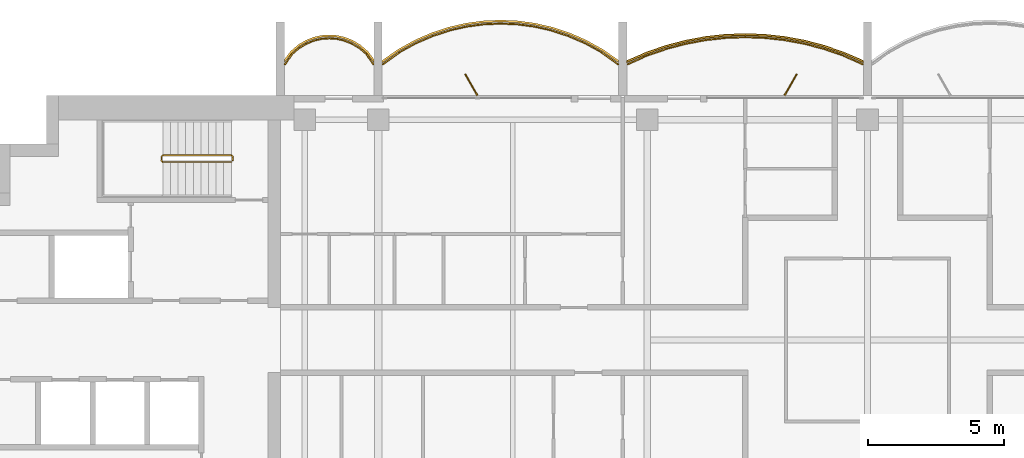
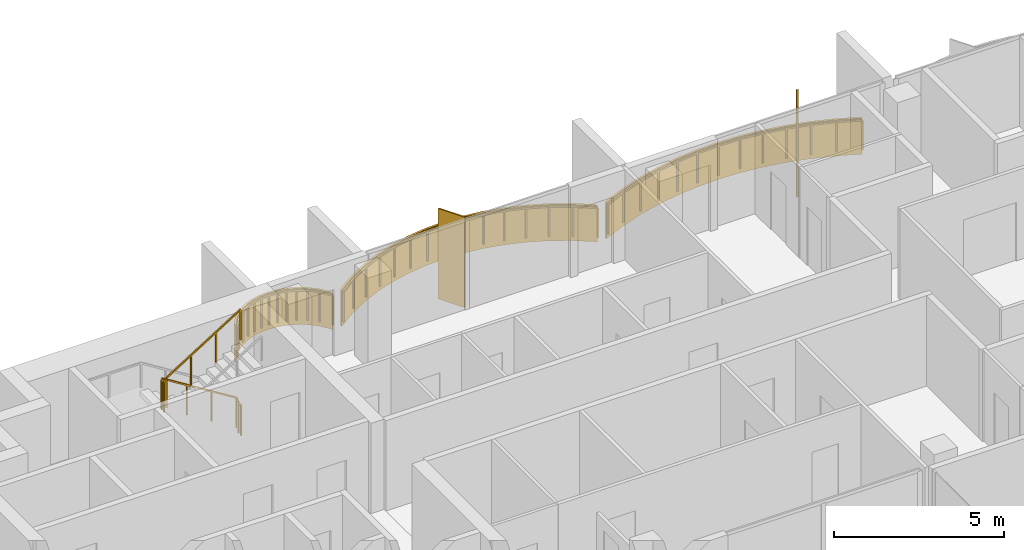
# One storey, part 14 of 16: 4 railings, 3 coverings, 2 shading devices.
"""IFC4 building model written with IfcOpenShell, lengths in metres."""

from ifc_helpers import new_model, si_unit, direction, frame, origin, origin_2d, place, context, subcontext, project, spatial, polyline, rectangle, outline, extrude, material, layer, layer_set, type_object, element, save


model = new_model("IFC4")

# Units and contexts
model_context = context("Model", 3, precision=1e-05, world=origin(), true_north=direction((0.0, 1.0)))
body_context = subcontext(model_context, "Body", "Model", "MODEL_VIEW")
ifc_project = project(units=[si_unit("LENGTHUNIT", "METRE"), si_unit("AREAUNIT", "SQUARE_METRE"), si_unit("VOLUMEUNIT", "CUBIC_METRE"), si_unit("PLANEANGLEUNIT", "RADIAN"), si_unit("MASSUNIT", "GRAM", prefix="KILO")], contexts=[model_context])

# Site, building, storey
site_placement = place(None, origin())
site = spatial("IfcSite", under=ifc_project, at=site_placement, CompositionType="ELEMENT")
building_placement = place(site_placement, origin())
building = spatial("IfcBuilding", under=site, at=building_placement, Name="Perihelion Cross Residences", CompositionType="ELEMENT")
storey_placement = place(building_placement, frame((0.0, 0.0, 246.5)))
storey = spatial("IfcBuildingStorey", under=building, at=storey_placement, Name="L62", CompositionType="ELEMENT", Elevation=246.5)

# Coverings
ifc_material_1 = material(Name="Bronze anodised aluminium", Category="aluminium")
ifc_layer_1 = layer(ifc_material_1, 0.070068359375)
ifc_layer_set_1 = layer_set([ifc_layer_1], Name="Balcony fascia 1300")
covering_type = type_object("IfcCoveringType", Name="Balcony fascia 1300", PredefinedType="CLADDING", material=ifc_layer_set_1)
covering_1_placement = place(storey_placement, frame((0.0, 0.0, -0.199951171875)))
element("IfcCovering", 1, at=covering_1_placement, inside=storey, type_object=covering_type, Name="Fascia BF1 L62 north side east bay 2", PredefinedType="CLADDING", context=body_context, shape_type="SweptSolid", body=[
    extrude(outline(polyline([(-0.849365234375, 10.582275390625), (-1.57958984375, 10.83544921875), (-2.309814453125, 11.028076171875), (-3.039794921875, 11.1630859375), (-3.77001953125, 11.243408203125), (-4.5, 11.27001953125), (-5.22998046875, 11.243408203125), (-5.960205078125, 11.1630859375), (-6.690185546875, 11.028076171875), (-7.42041015625, 10.83544921875), (-8.150634765625, 10.582275390625), (-8.85009765625, 10.2763671875), (-8.85009765625, 10.199951171875), (-8.125, 10.51708984375), (-7.39990234375, 10.7685546875), (-6.675048828125, 10.959716796875), (-5.949951171875, 11.093994140625), (-5.22509765625, 11.173583984375), (-4.5, 11.199951171875), (-3.77490234375, 11.173583984375), (-3.050048828125, 11.093994140625), (-2.324951171875, 10.959716796875), (-1.60009765625, 10.7685546875), (-0.875, 10.51708984375), (-0.14990234375, 10.199951171875), (-0.14990234375, 10.2763671875), (-0.849365234375, 10.582275390625)])), origin(), (0.0, 0.0, 1.0), 1.300048828125),
])
covering_2_placement = place(storey_placement, frame((0.0, 0.0, -0.199951171875)))
element("IfcCovering", 2, at=covering_2_placement, inside=storey, type_object=covering_type, Name="Fascia BF1 L62 west side north bay 1", PredefinedType="CLADDING", context=body_context, shape_type="SweptSolid", body=[
    extrude(outline(polyline([(-9.734375, 10.694091796875), (-10.362060546875, 11.0419921875), (-10.989501953125, 11.313232421875), (-11.6171875, 11.516845703125), (-12.244873046875, 11.65869140625), (-12.872314453125, 11.742431640625), (-13.5, 11.77001953125), (-14.127685546875, 11.742431640625), (-14.755126953125, 11.65869140625), (-15.3828125, 11.516845703125), (-16.010498046875, 11.313232421875), (-16.637939453125, 11.0419921875), (-17.265625, 10.694091796875), (-17.85009765625, 10.285400390625), (-17.85009765625, 10.199951171875), (-17.228515625, 10.634765625), (-16.607177734375, 10.979248046875), (-15.985595703125, 11.247802734375), (-15.3642578125, 11.44921875), (-14.742919921875, 11.589599609375), (-14.121337890625, 11.672607421875), (-13.5, 11.699951171875), (-12.878662109375, 11.672607421875), (-12.257080078125, 11.589599609375), (-11.6357421875, 11.44921875), (-11.014404296875, 11.247802734375), (-10.392822265625, 10.979248046875), (-9.771484375, 10.634765625), (-9.14990234375, 10.199951171875), (-9.14990234375, 10.285400390625), (-9.734375, 10.694091796875)])), origin(), (0.0, 0.0, 1.0), 1.300048828125),
])
covering_3_placement = place(storey_placement, frame((0.0, 0.0, -0.199951171875)))
element("IfcCovering", 3, at=covering_3_placement, inside=storey, type_object=covering_type, Name="Fascia BF1 L62 west side north bay 2", PredefinedType="CLADDING", context=body_context, shape_type="SweptSolid", body=[
    extrude(outline(polyline([(-18.373779296875, 10.616455078125), (-18.6591796875, 10.86328125), (-18.9443359375, 11.031494140625), (-19.229736328125, 11.142578125), (-19.514892578125, 11.206298828125), (-19.800048828125, 11.22705078125), (-20.085205078125, 11.206298828125), (-20.370361328125, 11.142578125), (-20.655517578125, 11.031494140625), (-20.94091796875, 10.86328125), (-21.226318359375, 10.616455078125), (-21.449951171875, 10.31689453125), (-21.449951171875, 10.199951171875), (-21.175048828125, 10.568603515625), (-20.89990234375, 10.806396484375), (-20.625, 10.96875), (-20.35009765625, 11.07568359375), (-20.074951171875, 11.136962890625), (-19.800048828125, 11.156982421875), (-19.52490234375, 11.136962890625), (-19.25, 11.07568359375), (-18.97509765625, 10.96875), (-18.699951171875, 10.806396484375), (-18.425048828125, 10.568603515625), (-18.14990234375, 10.199951171875), (-18.14990234375, 10.31689453125), (-18.373779296875, 10.616455078125)])), origin(), (0.0, 0.0, 1.0), 1.300048828125),
])

# Railings
ifc_material_2 = material(Name="Bronze anodised aluminium", Category="aluminium")
railing_type_1 = type_object("IfcRailingType", Name="Balcony guard 1100", PredefinedType="GUARDRAIL", material=ifc_material_2)
railing_1_placement = place(storey_placement, frame((-0.175048828125, 10.139892578125, 0.0)))
element("IfcRailing", 4, at=railing_1_placement, inside=storey, type_object=railing_type_1, Name="Guard GU1 L62 north side east bay 2 balcony", PredefinedType="GUARDRAIL", context=body_context, shape_type="SweptSolid", body=[
    extrude(rectangle(XDim=0.048095703125, YDim=0.048095703125, at=origin_2d()), frame((0.0, 0.0, 1.076171875), z_axis=(-0.910866309087, 0.412701547089, 0.0), x_axis=(-0.412701547089, -0.910866309087, 0.0)), (0.0, 0.0, 1.0), 0.7685546875),
    extrude(rectangle(XDim=0.048095703125, YDim=0.048095703125, at=origin_2d()), frame((-0.699951171875, 0.317138671875, 1.076171875), z_axis=(-0.944796812452, 0.327656807012, 0.0), x_axis=(-0.327656807012, -0.944796812452, 0.0)), (0.0, 0.0, 1.0), 0.767578125),
    extrude(rectangle(XDim=0.048095703125, YDim=0.048095703125, at=origin_2d()), frame((-1.425048828125, 0.568603515625, 1.076171875), z_axis=(-0.966939404945, 0.255006249266, 0.0), x_axis=(-0.255006249266, -0.966939404945, 0.0)), (0.0, 0.0, 1.0), 0.749755859375),
    extrude(rectangle(XDim=0.048095703125, YDim=0.048095703125, at=origin_2d()), frame((-2.14990234375, 0.759765625, 1.076171875), z_axis=(-0.983282004984, 0.182089260182, 0.0), x_axis=(-0.182089260182, -0.983282004984, 0.0)), (0.0, 0.0, 1.0), 0.7373046875),
    extrude(rectangle(XDim=0.048095703125, YDim=0.048095703125, at=origin_2d()), frame((-2.875, 0.89404296875, 1.076171875), z_axis=(-0.994025805622, 0.109145305703, 0.0), x_axis=(-0.109145305703, -0.994025805622, 0.0)), (0.0, 0.0, 1.0), 0.729248046875),
    extrude(rectangle(XDim=0.048095703125, YDim=0.048095703125, at=origin_2d()), frame((-3.599853515625, 0.9736328125, 1.076171875), z_axis=(-0.999339497946, 0.036339618107, 0.0), x_axis=(-0.036339618107, -0.999339497946, 0.0)), (0.0, 0.0, 1.0), 0.7255859375),
    extrude(rectangle(XDim=0.048095703125, YDim=0.048095703125, at=origin_2d()), frame((-4.324951171875, 1.0, 1.076171875), z_axis=(-0.999339497946, -0.036339618107, 0.0), x_axis=(0.036339618107, -0.999339497946, 0.0)), (0.0, 0.0, 1.0), 0.7255859375),
    extrude(rectangle(XDim=0.048095703125, YDim=0.048095703125, at=origin_2d()), frame((-5.050048828125, 0.9736328125, 1.076171875), z_axis=(-0.994025805622, -0.109145305703, 0.0), x_axis=(0.109145305703, -0.994025805622, 0.0)), (0.0, 0.0, 1.0), 0.729248046875),
    extrude(rectangle(XDim=0.048095703125, YDim=0.048095703125, at=origin_2d()), frame((-5.77490234375, 0.89404296875, 1.076171875), z_axis=(-0.983282004984, -0.182089260182, 0.0), x_axis=(0.182089260182, -0.983282004984, 0.0)), (0.0, 0.0, 1.0), 0.7373046875),
    extrude(rectangle(XDim=0.048095703125, YDim=0.048095703125, at=origin_2d()), frame((-6.5, 0.759765625, 1.076171875), z_axis=(-0.966939404945, -0.255006249266, 0.0), x_axis=(0.255006249266, -0.966939404945, 0.0)), (0.0, 0.0, 1.0), 0.749755859375),
    extrude(rectangle(XDim=0.048095703125, YDim=0.048095703125, at=origin_2d()), frame((-7.224853515625, 0.568603515625, 1.076171875), z_axis=(-0.944796812452, -0.327656807012, 0.0), x_axis=(0.327656807012, -0.944796812452, 0.0)), (0.0, 0.0, 1.0), 0.767578125),
    extrude(rectangle(XDim=0.048095703125, YDim=0.048095703125, at=origin_2d()), frame((-7.949951171875, 0.317138671875, 1.076171875), z_axis=(-0.910866309087, -0.412701547089, 0.0), x_axis=(0.412701547089, -0.910866309087, 0.0)), (0.0, 0.0, 1.0), 0.7685546875),
    extrude(rectangle(XDim=0.0419921875, YDim=0.0419921875, at=origin_2d()), origin(), (0.0, 0.0, 1.0), 1.052001953125),
    extrude(rectangle(XDim=0.0419921875, YDim=0.0419921875, at=origin_2d()), frame((-0.699951171875, 0.317138671875, 0.0)), (0.0, 0.0, 1.0), 1.052001953125),
    extrude(rectangle(XDim=0.0419921875, YDim=0.0419921875, at=origin_2d()), frame((-1.425048828125, 0.568603515625, 0.0)), (0.0, 0.0, 1.0), 1.052001953125),
    extrude(rectangle(XDim=0.0419921875, YDim=0.0419921875, at=origin_2d()), frame((-2.14990234375, 0.759765625, 0.0)), (0.0, 0.0, 1.0), 1.052001953125),
    extrude(rectangle(XDim=0.0419921875, YDim=0.0419921875, at=origin_2d()), frame((-2.875, 0.89404296875, 0.0)), (0.0, 0.0, 1.0), 1.052001953125),
    extrude(rectangle(XDim=0.0419921875, YDim=0.0419921875, at=origin_2d()), frame((-3.599853515625, 0.9736328125, 0.0)), (0.0, 0.0, 1.0), 1.052001953125),
    extrude(rectangle(XDim=0.0419921875, YDim=0.0419921875, at=origin_2d()), frame((-4.324951171875, 1.0, 0.0)), (0.0, 0.0, 1.0), 1.052001953125),
    extrude(rectangle(XDim=0.0419921875, YDim=0.0419921875, at=origin_2d()), frame((-5.050048828125, 0.9736328125, 0.0)), (0.0, 0.0, 1.0), 1.052001953125),
    extrude(rectangle(XDim=0.0419921875, YDim=0.0419921875, at=origin_2d()), frame((-5.77490234375, 0.89404296875, 0.0)), (0.0, 0.0, 1.0), 1.052001953125),
    extrude(rectangle(XDim=0.0419921875, YDim=0.0419921875, at=origin_2d()), frame((-6.5, 0.759765625, 0.0)), (0.0, 0.0, 1.0), 1.052001953125),
    extrude(rectangle(XDim=0.0419921875, YDim=0.0419921875, at=origin_2d()), frame((-7.224853515625, 0.568603515625, 0.0)), (0.0, 0.0, 1.0), 1.052001953125),
    extrude(rectangle(XDim=0.0419921875, YDim=0.0419921875, at=origin_2d()), frame((-7.949951171875, 0.317138671875, 0.0)), (0.0, 0.0, 1.0), 1.052001953125),
    extrude(rectangle(XDim=0.0419921875, YDim=0.0419921875, at=origin_2d()), frame((-8.64990234375, 0.0, 0.0)), (0.0, 0.0, 1.0), 1.052001953125),
])
railing_2_placement = place(storey_placement, frame((-9.175048828125, 10.139892578125, 0.0)))
element("IfcRailing", 5, at=railing_2_placement, inside=storey, type_object=railing_type_1, Name="Guard GU1 L62 west side north bay 1 balcony", PredefinedType="GUARDRAIL", context=body_context, shape_type="SweptSolid", body=[
    extrude(rectangle(XDim=0.048095703125, YDim=0.048095703125, at=origin_2d()), frame((0.0, 0.0, 1.076171875), z_axis=(-0.808063294873, 0.589095672603, 0.0), x_axis=(-0.589095672603, -0.808063294873, 0.0)), (0.0, 0.0, 1.0), 0.738037109375),
    extrude(rectangle(XDim=0.048095703125, YDim=0.048095703125, at=origin_2d()), frame((-0.596435546875, 0.434814453125, 1.076171875), z_axis=(-0.874578399268, 0.484884134133, 0.0), x_axis=(-0.484884134133, -0.874578399268, 0.0)), (0.0, 0.0, 1.0), 0.71044921875),
    extrude(rectangle(XDim=0.048095703125, YDim=0.048095703125, at=origin_2d()), frame((-1.2177734375, 0.779296875, 1.076171875), z_axis=(-0.917984792895, 0.396615582162, 0.0), x_axis=(-0.396615582162, -0.917984792895, 0.0)), (0.0, 0.0, 1.0), 0.677001953125),
    extrude(rectangle(XDim=0.048095703125, YDim=0.048095703125, at=origin_2d()), frame((-1.83935546875, 1.0478515625, 1.076171875), z_axis=(-0.951157585372, 0.308705762482, 0.0), x_axis=(-0.308705762482, -0.951157585372, 0.0)), (0.0, 0.0, 1.0), 0.6533203125),
    extrude(rectangle(XDim=0.048095703125, YDim=0.048095703125, at=origin_2d()), frame((-2.460693359375, 1.24951171875, 1.076171875), z_axis=(-0.975414431917, 0.220378506229, 0.0), x_axis=(-0.220378506229, -0.975414431917, 0.0)), (0.0, 0.0, 1.0), 0.636962890625),
    extrude(rectangle(XDim=0.048095703125, YDim=0.048095703125, at=origin_2d()), frame((-3.08203125, 1.389892578125, 1.076171875), z_axis=(-0.991251686862, 0.131985201039, 0.0), x_axis=(-0.131985201039, -0.991251686862, 0.0)), (0.0, 0.0, 1.0), 0.626953125),
    extrude(rectangle(XDim=0.048095703125, YDim=0.048095703125, at=origin_2d()), frame((-3.70361328125, 1.47265625, 1.076171875), z_axis=(-0.999033058467, 0.04396530552, 0.0), x_axis=(-0.04396530552, -0.999033058467, 0.0)), (0.0, 0.0, 1.0), 0.621826171875),
    extrude(rectangle(XDim=0.048095703125, YDim=0.048095703125, at=origin_2d()), frame((-4.324951171875, 1.5, 1.076171875), z_axis=(-0.999033058467, -0.04396530552, 0.0), x_axis=(0.04396530552, -0.999033058467, 0.0)), (0.0, 0.0, 1.0), 0.621826171875),
    extrude(rectangle(XDim=0.048095703125, YDim=0.048095703125, at=origin_2d()), frame((-4.9462890625, 1.47265625, 1.076171875), z_axis=(-0.991251686862, -0.131985201039, 0.0), x_axis=(0.131985201039, -0.991251686862, 0.0)), (0.0, 0.0, 1.0), 0.626953125),
    extrude(rectangle(XDim=0.048095703125, YDim=0.048095703125, at=origin_2d()), frame((-5.56787109375, 1.389892578125, 1.076171875), z_axis=(-0.975414431917, -0.220378506229, 0.0), x_axis=(0.220378506229, -0.975414431917, 0.0)), (0.0, 0.0, 1.0), 0.636962890625),
    extrude(rectangle(XDim=0.048095703125, YDim=0.048095703125, at=origin_2d()), frame((-6.189208984375, 1.24951171875, 1.076171875), z_axis=(-0.951157585372, -0.308705762482, 0.0), x_axis=(0.308705762482, -0.951157585372, 0.0)), (0.0, 0.0, 1.0), 0.6533203125),
    extrude(rectangle(XDim=0.048095703125, YDim=0.048095703125, at=origin_2d()), frame((-6.810546875, 1.0478515625, 1.076171875), z_axis=(-0.917984792895, -0.396615582162, 0.0), x_axis=(0.396615582162, -0.917984792895, 0.0)), (0.0, 0.0, 1.0), 0.677001953125),
    extrude(rectangle(XDim=0.048095703125, YDim=0.048095703125, at=origin_2d()), frame((-7.43212890625, 0.779296875, 1.076171875), z_axis=(-0.874578399268, -0.484884134133, 0.0), x_axis=(0.484884134133, -0.874578399268, 0.0)), (0.0, 0.0, 1.0), 0.71044921875),
    extrude(rectangle(XDim=0.048095703125, YDim=0.048095703125, at=origin_2d()), frame((-8.053466796875, 0.434814453125, 1.076171875), z_axis=(-0.808063294873, -0.589095672603, 0.0), x_axis=(0.589095672603, -0.808063294873, 0.0)), (0.0, 0.0, 1.0), 0.738037109375),
    extrude(rectangle(XDim=0.0419921875, YDim=0.0419921875, at=origin_2d()), origin(), (0.0, 0.0, 1.0), 1.052001953125),
    extrude(rectangle(XDim=0.0419921875, YDim=0.0419921875, at=origin_2d()), frame((-0.596435546875, 0.434814453125, 0.0)), (0.0, 0.0, 1.0), 1.052001953125),
    extrude(rectangle(XDim=0.0419921875, YDim=0.0419921875, at=origin_2d()), frame((-1.2177734375, 0.779296875, 0.0)), (0.0, 0.0, 1.0), 1.052001953125),
    extrude(rectangle(XDim=0.0419921875, YDim=0.0419921875, at=origin_2d()), frame((-1.83935546875, 1.0478515625, 0.0)), (0.0, 0.0, 1.0), 1.052001953125),
    extrude(rectangle(XDim=0.0419921875, YDim=0.0419921875, at=origin_2d()), frame((-2.460693359375, 1.24951171875, 0.0)), (0.0, 0.0, 1.0), 1.052001953125),
    extrude(rectangle(XDim=0.0419921875, YDim=0.0419921875, at=origin_2d()), frame((-3.08203125, 1.389892578125, 0.0)), (0.0, 0.0, 1.0), 1.052001953125),
    extrude(rectangle(XDim=0.0419921875, YDim=0.0419921875, at=origin_2d()), frame((-3.70361328125, 1.47265625, 0.0)), (0.0, 0.0, 1.0), 1.052001953125),
    extrude(rectangle(XDim=0.0419921875, YDim=0.0419921875, at=origin_2d()), frame((-4.324951171875, 1.5, 0.0)), (0.0, 0.0, 1.0), 1.052001953125),
    extrude(rectangle(XDim=0.0419921875, YDim=0.0419921875, at=origin_2d()), frame((-4.9462890625, 1.47265625, 0.0)), (0.0, 0.0, 1.0), 1.052001953125),
    extrude(rectangle(XDim=0.0419921875, YDim=0.0419921875, at=origin_2d()), frame((-5.56787109375, 1.389892578125, 0.0)), (0.0, 0.0, 1.0), 1.052001953125),
    extrude(rectangle(XDim=0.0419921875, YDim=0.0419921875, at=origin_2d()), frame((-6.189208984375, 1.24951171875, 0.0)), (0.0, 0.0, 1.0), 1.052001953125),
    extrude(rectangle(XDim=0.0419921875, YDim=0.0419921875, at=origin_2d()), frame((-6.810546875, 1.0478515625, 0.0)), (0.0, 0.0, 1.0), 1.052001953125),
    extrude(rectangle(XDim=0.0419921875, YDim=0.0419921875, at=origin_2d()), frame((-7.43212890625, 0.779296875, 0.0)), (0.0, 0.0, 1.0), 1.052001953125),
    extrude(rectangle(XDim=0.0419921875, YDim=0.0419921875, at=origin_2d()), frame((-8.053466796875, 0.434814453125, 0.0)), (0.0, 0.0, 1.0), 1.052001953125),
    extrude(rectangle(XDim=0.0419921875, YDim=0.0419921875, at=origin_2d()), frame((-8.64990234375, 0.0, 0.0)), (0.0, 0.0, 1.0), 1.052001953125),
])
railing_3_placement = place(storey_placement, frame((-18.175048828125, 10.139892578125, 0.0)))
element("IfcRailing", 6, at=railing_3_placement, inside=storey, type_object=railing_type_1, Name="Guard GU1 L62 west side north bay 2 balcony", PredefinedType="GUARDRAIL", context=body_context, shape_type="SweptSolid", body=[
    extrude(rectangle(XDim=0.048095703125, YDim=0.048095703125, at=origin_2d()), frame((0.0, 0.0, 1.076171875), z_axis=(-0.561260132269, 0.827639452857, 0.0), x_axis=(-0.827639452857, -0.561260132269, 0.0)), (0.0, 0.0, 1.0), 0.4453125),
    extrude(rectangle(XDim=0.048095703125, YDim=0.048095703125, at=origin_2d()), frame((-0.25, 0.36865234375, 1.076171875), z_axis=(-0.756309278473, 0.654214242658, 0.0), x_axis=(-0.654214242658, -0.756309278473, 0.0)), (0.0, 0.0, 1.0), 0.363525390625),
    extrude(rectangle(XDim=0.048095703125, YDim=0.048095703125, at=origin_2d()), frame((-0.52490234375, 0.6064453125, 1.076171875), z_axis=(-0.861245845072, 0.508188542123, 0.0), x_axis=(-0.508188542123, -0.861245845072, 0.0)), (0.0, 0.0, 1.0), 0.319580078125),
    extrude(rectangle(XDim=0.048095703125, YDim=0.048095703125, at=origin_2d()), frame((-0.800048828125, 0.768798828125, 1.076171875), z_axis=(-0.931973602183, 0.362526143656, 0.0), x_axis=(-0.362526143656, -0.931973602183, 0.0)), (0.0, 0.0, 1.0), 0.294921875),
    extrude(rectangle(XDim=0.048095703125, YDim=0.048095703125, at=origin_2d()), frame((-1.074951171875, 0.875732421875, 1.076171875), z_axis=(-0.976044077717, 0.217572880557, 0.0), x_axis=(-0.217572880557, -0.976044077717, 0.0)), (0.0, 0.0, 1.0), 0.28173828125),
    extrude(rectangle(XDim=0.048095703125, YDim=0.048095703125, at=origin_2d()), frame((-1.349853515625, 0.93701171875, 1.076171875), z_axis=(-0.997363488337, 0.072567707226, 0.0), x_axis=(-0.072567707226, -0.997363488337, 0.0)), (0.0, 0.0, 1.0), 0.27587890625),
    extrude(rectangle(XDim=0.048095703125, YDim=0.048095703125, at=origin_2d()), frame((-1.625, 0.95703125, 1.076171875), z_axis=(-0.997358821833, -0.072631814734, 0.0), x_axis=(0.072631814734, -0.997358821833, 0.0)), (0.0, 0.0, 1.0), 0.275634765625),
    extrude(rectangle(XDim=0.048095703125, YDim=0.048095703125, at=origin_2d()), frame((-1.89990234375, 0.93701171875, 1.076171875), z_axis=(-0.976085059389, -0.21738895289, 0.0), x_axis=(0.21738895289, -0.976085059389, 0.0)), (0.0, 0.0, 1.0), 0.281982421875),
    extrude(rectangle(XDim=0.048095703125, YDim=0.048095703125, at=origin_2d()), frame((-2.175048828125, 0.875732421875, 1.076171875), z_axis=(-0.931973602183, -0.362526143656, 0.0), x_axis=(0.362526143656, -0.931973602183, 0.0)), (0.0, 0.0, 1.0), 0.294921875),
    extrude(rectangle(XDim=0.048095703125, YDim=0.048095703125, at=origin_2d()), frame((-2.449951171875, 0.768798828125, 1.076171875), z_axis=(-0.861048292884, -0.508523192511, 0.0), x_axis=(0.508523192511, -0.861048292884, 0.0)), (0.0, 0.0, 1.0), 0.3193359375),
    extrude(rectangle(XDim=0.048095703125, YDim=0.048095703125, at=origin_2d()), frame((-2.724853515625, 0.6064453125, 1.076171875), z_axis=(-0.756596535164, -0.653882009982, 0.0), x_axis=(0.653882009982, -0.756596535164, 0.0)), (0.0, 0.0, 1.0), 0.36376953125),
    extrude(rectangle(XDim=0.048095703125, YDim=0.048095703125, at=origin_2d()), frame((-3.0, 0.36865234375, 1.076171875), z_axis=(-0.561260132269, -0.827639452857, 0.0), x_axis=(0.827639452857, -0.561260132269, 0.0)), (0.0, 0.0, 1.0), 0.4453125),
    extrude(rectangle(XDim=0.0419921875, YDim=0.0419921875, at=origin_2d()), origin(), (0.0, 0.0, 1.0), 1.052001953125),
    extrude(rectangle(XDim=0.0419921875, YDim=0.0419921875, at=origin_2d()), frame((-0.25, 0.36865234375, 0.0)), (0.0, 0.0, 1.0), 1.052001953125),
    extrude(rectangle(XDim=0.0419921875, YDim=0.0419921875, at=origin_2d()), frame((-0.52490234375, 0.6064453125, 0.0)), (0.0, 0.0, 1.0), 1.052001953125),
    extrude(rectangle(XDim=0.0419921875, YDim=0.0419921875, at=origin_2d()), frame((-0.800048828125, 0.768798828125, 0.0)), (0.0, 0.0, 1.0), 1.052001953125),
    extrude(rectangle(XDim=0.0419921875, YDim=0.0419921875, at=origin_2d()), frame((-1.074951171875, 0.875732421875, 0.0)), (0.0, 0.0, 1.0), 1.052001953125),
    extrude(rectangle(XDim=0.0419921875, YDim=0.0419921875, at=origin_2d()), frame((-1.349853515625, 0.93701171875, 0.0)), (0.0, 0.0, 1.0), 1.052001953125),
    extrude(rectangle(XDim=0.0419921875, YDim=0.0419921875, at=origin_2d()), frame((-1.625, 0.95703125, 0.0)), (0.0, 0.0, 1.0), 1.052001953125),
    extrude(rectangle(XDim=0.0419921875, YDim=0.0419921875, at=origin_2d()), frame((-1.89990234375, 0.93701171875, 0.0)), (0.0, 0.0, 1.0), 1.052001953125),
    extrude(rectangle(XDim=0.0419921875, YDim=0.0419921875, at=origin_2d()), frame((-2.175048828125, 0.875732421875, 0.0)), (0.0, 0.0, 1.0), 1.052001953125),
    extrude(rectangle(XDim=0.0419921875, YDim=0.0419921875, at=origin_2d()), frame((-2.449951171875, 0.768798828125, 0.0)), (0.0, 0.0, 1.0), 1.052001953125),
    extrude(rectangle(XDim=0.0419921875, YDim=0.0419921875, at=origin_2d()), frame((-2.724853515625, 0.6064453125, 0.0)), (0.0, 0.0, 1.0), 1.052001953125),
    extrude(rectangle(XDim=0.0419921875, YDim=0.0419921875, at=origin_2d()), frame((-3.0, 0.36865234375, 0.0)), (0.0, 0.0, 1.0), 1.052001953125),
    extrude(rectangle(XDim=0.0419921875, YDim=0.0419921875, at=origin_2d()), frame((-3.25, 0.0, 0.0)), (0.0, 0.0, 1.0), 1.052001953125),
])

# Shading devices
ifc_material_3 = material(Name="Bronze anodised aluminium", Category="aluminium")
ifc_layer_2 = layer(ifc_material_3, 0.050048828125)
ifc_layer_set_2 = layer_set([ifc_layer_2], Name="Bronze fin 900")
shading_device_type = type_object("IfcShadingDeviceType", Name="Bronze fin 900", PredefinedType="USERDEFINED", material=ifc_layer_set_2)
for number, where, z_axis, x_axis, name in (
    (7, (-2.824951171875, 9.3896484375, 0.0), (0.0, 0.0, 1.0), (0.5, 0.866025403784, 0.0), "Fin FN1 L62 north side east bay 2"),
    (8, (-14.574951171875, 9.3896484375, 0.0), (0.0, 0.0, 1.0), (-0.5, 0.866025403784, 0.0), "Fin FN1 L62 west side north bay 1"),
):
    element("IfcShadingDevice", number, at=place(storey_placement, frame(where, z_axis=z_axis, x_axis=x_axis)), inside=storey, type_object=shading_device_type, Name=name, ObjectType="FIN", PredefinedType="USERDEFINED", context=body_context, shape_type="SweptSolid", body=[
        extrude(rectangle(XDim=0.89990234375, YDim=0.050048828125, at=origin_2d()), origin(), (0.0, 0.0, 1.0), 3.25),
    ])

# Railing
ifc_material_4 = material(Name="Stainless steel", Category="steel")
railing_type_2 = type_object("IfcRailingType", Name="Stair guard 1100", PredefinedType="GUARDRAIL", material=ifc_material_4)
railing_4_placement = place(storey_placement, frame((-23.35009765625, 6.60009765625, 0.0)))
element("IfcRailing", 9, at=railing_4_placement, inside=storey, type_object=railing_type_2, Name="L62 ST-W1 stair guard 1", PredefinedType="GUARDRAIL", context=body_context, shape_type="SweptSolid", body=[
    extrude(rectangle(XDim=0.048095703125, YDim=0.048095703125, at=origin_2d()), frame((0.0, 0.0, 1.076171875), z_axis=(0.0, 1.0, 0.0), x_axis=(-1.0, 0.0, 0.0)), (0.0, 0.0, 1.0), 0.14990234375),
    extrude(rectangle(XDim=0.048095703125, YDim=0.048095703125, at=origin_2d()), frame((0.0, 0.14990234375, 1.076171875), z_axis=(-0.263862480399, 0.265155923931, 0.927399011991), x_axis=(-0.708833529934, -0.705375805398, 0.0)), (0.0, 0.0, 1.0), 0.188720703125),
    extrude(rectangle(XDim=0.048095703125, YDim=0.048095703125, at=origin_2d()), frame((-0.0498046875, 0.199951171875, 1.2509765625), z_axis=(-0.848007534815, 0.0, 0.529984170421), x_axis=(0.0, -1.0, 0.0)), (0.0, 0.0, 1.0), 2.9716796875),
    extrude(rectangle(XDim=0.048095703125, YDim=0.048095703125, at=origin_2d()), frame((-2.56982421875, 0.199951171875, 2.826171875), z_axis=(-0.707106781187, -0.707106781187, 0.0), x_axis=(0.707106781187, -0.707106781187, 0.0)), (0.0, 0.0, 1.0), 0.07080078125),
    extrude(rectangle(XDim=0.048095703125, YDim=0.048095703125, at=origin_2d()), frame((-2.619873046875, 0.14990234375, 2.826171875), z_axis=(0.0, -1.0, 0.0), x_axis=(1.0, 0.0, 0.0)), (0.0, 0.0, 1.0), 0.14990234375),
    extrude(rectangle(XDim=0.048095703125, YDim=0.048095703125, at=origin_2d()), frame((-2.619873046875, 0.0, 2.826171875), z_axis=(0.265065253269, -0.265065253269, 0.927081885822), x_axis=(0.707106781187, 0.707106781187, 0.0)), (0.0, 0.0, 1.0), 0.188720703125),
    extrude(rectangle(XDim=0.048095703125, YDim=0.048095703125, at=origin_2d()), frame((-2.56982421875, -0.050048828125, 3.0009765625), z_axis=(0.848007534815, 0.0, 0.529984170421), x_axis=(0.0, 1.0, 0.0)), (0.0, 0.0, 1.0), 2.9716796875),
    extrude(rectangle(XDim=0.0419921875, YDim=0.0419921875, at=origin_2d()), origin(), (0.0, 0.0, 1.0), 1.052001953125),
    extrude(rectangle(XDim=0.0419921875, YDim=0.0419921875, at=origin_2d()), frame((0.0, 0.14990234375, 0.0)), (0.0, 0.0, 1.0), 1.052001953125),
    extrude(rectangle(XDim=0.0419921875, YDim=0.0419921875, at=origin_2d()), frame((-0.0498046875, 0.199951171875, 0.175048828125)), (0.0, 0.0, 1.0), 1.052001953125),
    extrude(rectangle(XDim=0.0419921875, YDim=0.0419921875, at=origin_2d()), frame((-0.889892578125, 0.199951171875, 0.699951171875)), (0.0, 0.0, 1.0), 1.052001953125),
    extrude(rectangle(XDim=0.0419921875, YDim=0.0419921875, at=origin_2d()), frame((-1.729736328125, 0.199951171875, 1.22509765625)), (0.0, 0.0, 1.0), 1.052001953125),
    extrude(rectangle(XDim=0.0419921875, YDim=0.0419921875, at=origin_2d()), frame((-2.56982421875, 0.199951171875, 1.75)), (0.0, 0.0, 1.0), 1.052001953125),
    extrude(rectangle(XDim=0.0419921875, YDim=0.0419921875, at=origin_2d()), frame((-2.619873046875, 0.14990234375, 1.75)), (0.0, 0.0, 1.0), 1.052001953125),
    extrude(rectangle(XDim=0.0419921875, YDim=0.0419921875, at=origin_2d()), frame((-2.619873046875, 0.0, 1.75)), (0.0, 0.0, 1.0), 1.052001953125),
    extrude(rectangle(XDim=0.0419921875, YDim=0.0419921875, at=origin_2d()), frame((-2.56982421875, -0.050048828125, 1.925048828125)), (0.0, 0.0, 1.0), 1.052001953125),
    extrude(rectangle(XDim=0.0419921875, YDim=0.0419921875, at=origin_2d()), frame((-1.729736328125, -0.050048828125, 2.449951171875)), (0.0, 0.0, 1.0), 1.052001953125),
    extrude(rectangle(XDim=0.0419921875, YDim=0.0419921875, at=origin_2d()), frame((-0.889892578125, -0.050048828125, 2.97509765625)), (0.0, 0.0, 1.0), 1.052001953125),
    extrude(rectangle(XDim=0.0419921875, YDim=0.0419921875, at=origin_2d()), frame((-0.0498046875, -0.050048828125, 3.5)), (0.0, 0.0, 1.0), 1.052001953125),
])

save(model, "model.ifc")
